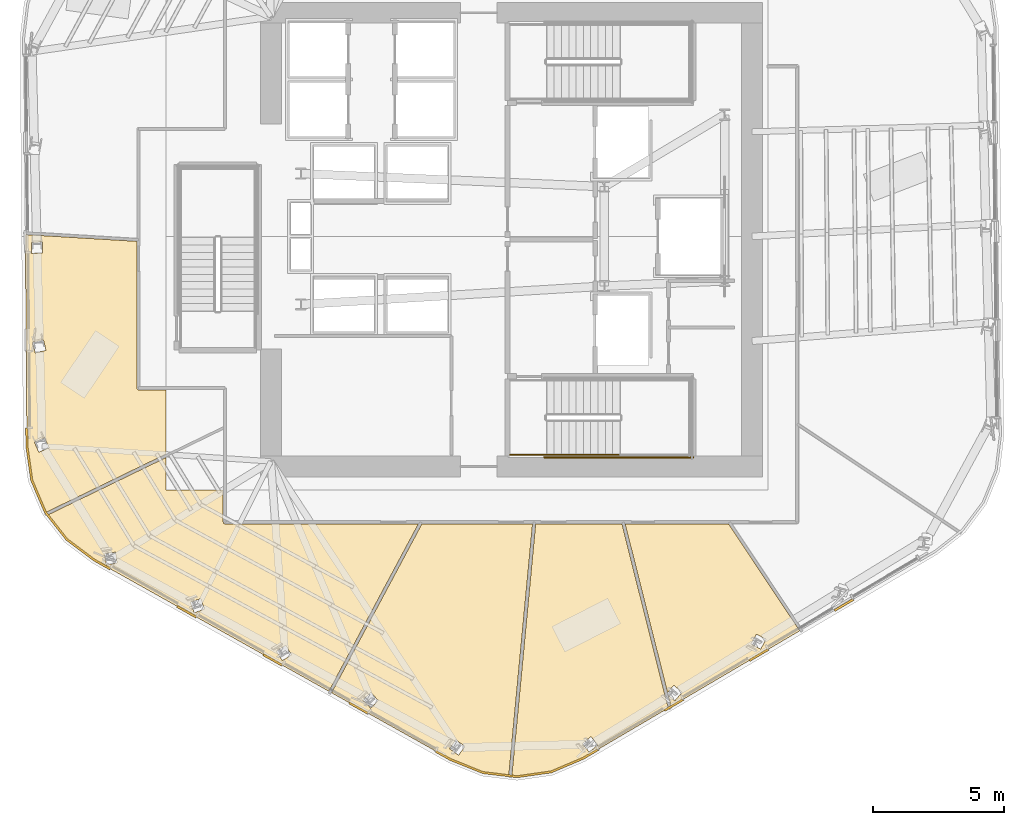
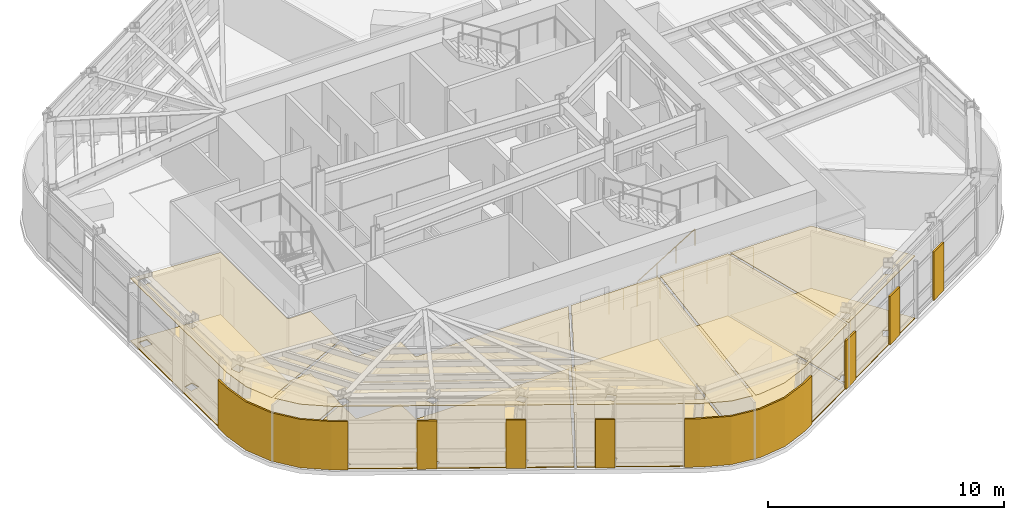
# One storey, part 10 of 16: 18 coverings, 3 railings.
"""IFC4 building model written with IfcOpenShell, lengths in metres."""

from ifc_helpers import new_model, si_unit, direction, frame, origin, origin_2d, place, context, subcontext, project, spatial, polyline, circle, outline, extrude, material, layer, layer_set, type_object, element, save


model = new_model("IFC4")

# Units and contexts
model_context = context("Model", 3, precision=1e-05, world=origin(), true_north=direction((0.0, 1.0)))
body_context = subcontext(model_context, "Body", "Model", "MODEL_VIEW")
ifc_project = project(units=[si_unit("LENGTHUNIT", "METRE"), si_unit("AREAUNIT", "SQUARE_METRE"), si_unit("VOLUMEUNIT", "CUBIC_METRE"), si_unit("PLANEANGLEUNIT", "RADIAN"), si_unit("MASSUNIT", "GRAM", prefix="KILO")], contexts=[model_context])

# Site, building, storey
site_placement = place(None, origin())
site = spatial("IfcSite", under=ifc_project, at=site_placement, CompositionType="ELEMENT")
building_placement = place(site_placement, origin())
building = spatial("IfcBuilding", under=site, at=building_placement, Name="Valkerne Bourse Tower", CompositionType="ELEMENT")
storey_placement = place(building_placement, frame((0.0, 0.0, 155.199951171875)))
storey = spatial("IfcBuildingStorey", under=building, at=storey_placement, Name="L39", CompositionType="ELEMENT", Elevation=155.199951171875)

# Coverings
ifc_material_1 = material(Name="Mineral Fiber Acoustic Ceiling Tile", Category="acoustic")
ifc_layer_1 = layer(ifc_material_1, 0.02490234375)
ifc_layer_set_1 = layer_set([ifc_layer_1], Name="Mineral Fiber Acoustic Ceiling Tile")
covering_type_1 = type_object("IfcCoveringType", Name="COV-CEIL-ACT", PredefinedType="CEILING", material=ifc_layer_set_1)
covering_1_placement = place(storey_placement, frame((0.0, 0.0, 3.22998046875)))
element("IfcCovering", 1, at=covering_1_placement, inside=storey, type_object=covering_type_1, Name="L39 Suspended Ceiling 04", PredefinedType="CEILING", context=body_context, shape_type="SweptSolid", body=[
    extrude(outline(polyline([(55.099365234375, 16.010986328125), (57.816650390625, 11.921142578125), (52.8984375, 9.029541015625), (52.78857421875, 9.466552734375), (53.04541015625, 9.249755859375), (53.0478515625, 9.250732421875), (53.3203125, 9.5751953125), (53.00390625, 9.84228515625), (53.00146484375, 9.84130859375), (52.76513671875, 9.56005859375), (51.144775390625, 16.010986328125), (55.099365234375, 16.010986328125)]), holes=[polyline([(56.327392578125, 11.224609375), (56.528076171875, 11.597900390625), (56.163818359375, 11.794921875), (56.16162109375, 11.79345703125), (55.960693359375, 11.42041015625), (56.324951171875, 11.223388671875), (56.327392578125, 11.224609375)])]), origin(), (0.0, 0.0, 1.0), 0.025146484375),
])
covering_2_placement = place(storey_placement, frame((0.0, 0.0, 3.22998046875)))
element("IfcCovering", 2, at=covering_2_placement, inside=storey, type_object=covering_type_1, Name="L39 Suspended Ceiling 06", PredefinedType="CEILING", context=body_context, shape_type="SweptSolid", body=[
    extrude(outline(polyline([(47.016357421875, 6.350830078125), (46.813720703125, 6.37548828125), (47.724609375, 16.010986328125), (51.023193359375, 16.010986328125), (52.79248046875, 8.96728515625), (49.54541015625, 7.05810546875), (48.322509765625, 6.536865234375), (47.016357421875, 6.350830078125)]), holes=[polyline([(50.100830078125, 7.55615234375), (49.84033203125, 7.8779296875), (49.83740234375, 7.87744140625), (49.509033203125, 7.610107421875), (49.76953125, 7.288330078125), (49.7724609375, 7.288818359375), (50.100830078125, 7.55615234375)])]), origin(), (0.0, 0.0, 1.0), 0.025146484375),
])
covering_3_placement = place(storey_placement, frame((0.0, 0.0, 3.22998046875)))
element("IfcCovering", 3, at=covering_3_placement, inside=storey, type_object=covering_type_1, Name="L39 Suspended Ceiling 07", PredefinedType="CEILING", context=body_context, shape_type="SweptSolid", body=[
    extrude(outline(polyline([(28.2802734375, 18.993896484375), (28.216552734375, 27.068115234375), (32.48095703125, 26.811279296875), (32.48095703125, 21.19970703125), (32.4873046875, 21.1708984375), (32.513916015625, 21.14111328125), (32.54931640625, 21.131103515625), (33.60009765625, 21.131103515625), (33.60009765625, 18.68115234375), (28.9990234375, 16.44677734375), (28.985107421875, 16.46435546875), (28.467529296875, 17.67822265625), (28.2802734375, 18.993896484375)]), holes=[polyline([(29.121337890625, 18.92431640625), (29.1201171875, 18.9267578125), (28.95068359375, 19.303466796875), (28.5634765625, 19.129150390625), (28.564697265625, 19.126708984375), (28.734130859375, 18.75), (29.121337890625, 18.92431640625)]), polyline([(29.00634765625, 22.64599609375), (28.910888671875, 23.048095703125), (28.497802734375, 22.94970703125), (28.498291015625, 22.947021484375), (28.593994140625, 22.545166015625), (29.007080078125, 22.643310546875), (29.00634765625, 22.64599609375)]), polyline([(28.88037109375, 26.3671875), (28.868408203125, 26.780517578125), (28.444091796875, 26.768310546875), (28.444091796875, 26.765380859375), (28.4560546875, 26.3525390625), (28.88037109375, 26.36474609375), (28.88037109375, 26.3671875)])]), origin(), (0.0, 0.0, 1.0), 0.025146484375),
])
covering_4_placement = place(storey_placement, frame((0.0, 0.0, 3.22998046875)))
element("IfcCovering", 4, at=covering_4_placement, inside=storey, type_object=covering_type_1, Name="L39 Suspended Ceiling 08", PredefinedType="CEILING", context=body_context, shape_type="SweptSolid", body=[
    extrude(outline(polyline([(39.92236328125, 9.5537109375), (43.376708984375, 16.010986328125), (47.60595703125, 16.010986328125), (46.696533203125, 6.389404296875), (45.706298828125, 6.509521484375), (44.472900390625, 7.005126953125), (39.92236328125, 9.5537109375)]), holes=[polyline([(45.020263671875, 7.505615234375), (44.677001953125, 7.753662109375), (44.674072265625, 7.75390625), (44.4326171875, 7.417724609375), (44.775634765625, 7.169677734375), (44.778564453125, 7.169189453125), (45.020263671875, 7.505615234375)]), polyline([(41.422607421875, 9.564697265625), (41.420166015625, 9.5654296875), (41.11962890625, 9.28076171875), (41.41015625, 8.972412109375), (41.412841796875, 8.9716796875), (41.71337890625, 9.256591796875), (41.422607421875, 9.564697265625)])]), origin(), (0.0, 0.0, 1.0), 0.025146484375),
])
covering_5_placement = place(storey_placement, frame((0.0, 0.0, 3.22998046875)))
element("IfcCovering", 5, at=covering_5_placement, inside=storey, type_object=covering_type_1, Name="L39 Suspended Ceiling 09", PredefinedType="CEILING", context=body_context, shape_type="SweptSolid", body=[
    extrude(outline(polyline([(29.073486328125, 16.351806640625), (33.60009765625, 18.5498046875), (33.60009765625, 17.300048828125), (35.781005859375, 17.300048828125), (35.781005859375, 16.079345703125), (35.791015625, 16.0439453125), (35.81982421875, 16.017822265625), (35.849609375, 16.010986328125), (43.242919921875, 16.010986328125), (39.8193359375, 9.611572265625), (30.8623046875, 14.6279296875), (29.79931640625, 15.426025390625), (29.073486328125, 16.351806640625)]), holes=[polyline([(38.173095703125, 11.364013671875), (38.170654296875, 11.365478515625), (37.818359375, 11.147705078125), (38.040283203125, 10.78662109375), (38.04248046875, 10.785400390625), (38.394775390625, 11.003173828125), (38.173095703125, 11.364013671875)]), polyline([(34.92041015625, 13.151611328125), (34.91845703125, 13.1533203125), (34.529296875, 13.01171875), (34.673095703125, 12.61328125), (34.675048828125, 12.611572265625), (35.064208984375, 12.7529296875), (34.92041015625, 13.151611328125)]), polyline([(31.725341796875, 14.51171875), (31.6591796875, 14.93017578125), (31.6572265625, 14.932373046875), (31.24853515625, 14.866455078125), (31.314697265625, 14.4482421875), (31.31640625, 14.44580078125), (31.725341796875, 14.51171875)])]), origin(), (0.0, 0.0, 1.0), 0.025146484375),
])
ifc_material_2 = material(Name="Bronze Anodised Aluminium AA 6063-T6", Category="aluminium")
ifc_layer_2 = layer(ifc_material_2, 0.06005859375)
ifc_layer_set_2 = layer_set([ifc_layer_2], Name="Bronze Anodised Aluminium AA 6063-T6")
covering_type_2 = type_object("IfcCoveringType", Name="COV-CRN-ALUM", PredefinedType="CLADDING", material=ifc_layer_set_2)
covering_6_placement = place(storey_placement, origin())
element("IfcCovering", 6, at=covering_6_placement, inside=storey, type_object=covering_type_2, Name="L39 Wind-Shaped Corner Aluminium Cladding 02", PredefinedType="CLADDING", context=body_context, shape_type="SweptSolid", body=[
    extrude(outline(polyline([(59.17041015625, 12.666015625), (59.129638671875, 12.734619140625), (59.853759765625, 13.160400390625), (59.89453125, 13.091552734375), (59.17041015625, 12.666015625)])), origin(), (0.0, 0.0, 1.0), 2.5),
])
covering_7_placement = place(storey_placement, origin())
element("IfcCovering", 7, at=covering_7_placement, inside=storey, type_object=covering_type_2, Name="L39 Wind-Shaped Corner Aluminium Cladding 03", PredefinedType="CLADDING", context=body_context, shape_type="SweptSolid", body=[
    extrude(outline(polyline([(55.919677734375, 10.754638671875), (55.87890625, 10.823486328125), (56.60302734375, 11.249267578125), (56.643798828125, 11.180419921875), (55.919677734375, 10.754638671875)])), origin(), (0.0, 0.0, 1.0), 2.5),
])
covering_8_placement = place(storey_placement, origin())
element("IfcCovering", 8, at=covering_8_placement, inside=storey, type_object=covering_type_2, Name="L39 Wind-Shaped Corner Aluminium Cladding 04", PredefinedType="CLADDING", context=body_context, shape_type="SweptSolid", body=[
    extrude(outline(polyline([(52.668701171875, 8.843505859375), (52.6279296875, 8.912353515625), (53.35205078125, 9.337890625), (53.392822265625, 9.269287109375), (52.668701171875, 8.843505859375)])), origin(), (0.0, 0.0, 1.0), 2.5),
])
covering_9_placement = place(storey_placement, origin())
element("IfcCovering", 9, at=covering_9_placement, inside=storey, type_object=covering_type_2, Name="L39 Wind-Shaped Corner Aluminium Cladding 05", PredefinedType="CLADDING", context=body_context, shape_type="SweptSolid", body=[
    extrude(outline(polyline([(49.565185546875, 7.018798828125), (48.334716796875, 6.493896484375), (47.0166015625, 6.306396484375), (45.6953125, 6.46630859375), (44.453857421875, 6.96533203125), (43.8701171875, 7.292236328125), (43.9091796875, 7.362060546875), (44.488525390625, 7.03759765625), (45.71533203125, 6.54443359375), (47.015869140625, 6.38720703125), (48.31298828125, 6.57177734375), (49.529052734375, 7.09033203125), (50.101318359375, 7.4267578125), (50.14208984375, 7.35791015625), (49.565185546875, 7.018798828125)])), origin(), (0.0, 0.0, 1.0), 2.5),
])
covering_10_placement = place(storey_placement, origin())
element("IfcCovering", 10, at=covering_10_placement, inside=storey, type_object=covering_type_2, Name="L39 Wind-Shaped Corner Aluminium Cladding 06", PredefinedType="CLADDING", context=body_context, shape_type="SweptSolid", body=[
    extrude(outline(polyline([(40.580078125, 9.135009765625), (40.619140625, 9.20458984375), (41.35205078125, 8.794189453125), (41.31298828125, 8.724609375), (40.580078125, 9.135009765625)])), origin(), (0.0, 0.0, 1.0), 2.5),
])
covering_11_placement = place(storey_placement, origin())
element("IfcCovering", 11, at=covering_11_placement, inside=storey, type_object=covering_type_2, Name="L39 Wind-Shaped Corner Aluminium Cladding 07", PredefinedType="CLADDING", context=body_context, shape_type="SweptSolid", body=[
    extrude(outline(polyline([(37.289794921875, 10.977783203125), (37.3291015625, 11.04736328125), (38.06201171875, 10.636962890625), (38.022705078125, 10.5673828125), (37.289794921875, 10.977783203125)])), origin(), (0.0, 0.0, 1.0), 2.5),
])
covering_12_placement = place(storey_placement, origin())
element("IfcCovering", 12, at=covering_12_placement, inside=storey, type_object=covering_type_2, Name="L39 Wind-Shaped Corner Aluminium Cladding 08", PredefinedType="CLADDING", context=body_context, shape_type="SweptSolid", body=[
    extrude(outline(polyline([(33.999755859375, 12.8203125), (34.0390625, 12.89013671875), (34.771728515625, 12.4794921875), (34.732666015625, 12.409912109375), (33.999755859375, 12.8203125)])), origin(), (0.0, 0.0, 1.0), 2.5),
])
covering_13_placement = place(storey_placement, origin())
element("IfcCovering", 13, at=covering_13_placement, inside=storey, type_object=covering_type_2, Name="L39 Wind-Shaped Corner Aluminium Cladding 09", PredefinedType="CLADDING", context=body_context, shape_type="SweptSolid", body=[
    extrude(outline(polyline([(30.838134765625, 14.591064453125), (29.768310546875, 15.394287109375), (28.947021484375, 16.441650390625), (28.4248046875, 17.666259765625), (28.236083984375, 18.990478515625), (28.230712890625, 19.68310546875), (28.310791015625, 19.683837890625), (28.316162109375, 18.99658203125), (28.50244140625, 17.68798828125), (29.0166015625, 16.48291015625), (29.82470703125, 15.451904296875), (30.8818359375, 14.658203125), (31.481689453125, 14.322265625), (31.4423828125, 14.252685546875), (30.838134765625, 14.591064453125)])), origin(), (0.0, 0.0, 1.0), 2.5),
])
ifc_material_3 = material(Name="Galvanised Painted Steel", Category="steel")
ifc_layer_3 = layer(ifc_material_3, 0.044921875)
ifc_layer_set_3 = layer_set([ifc_layer_3], Name="Galvanised Painted Steel")
covering_type_3 = type_object("IfcCoveringType", Name="COV-FLR-RAF", PredefinedType="FLOORING", material=ifc_layer_set_3)
covering_14_placement = place(storey_placement, origin())
element("IfcCovering", 14, at=covering_14_placement, inside=storey, type_object=covering_type_3, Name="L39 Floor Finish 06", PredefinedType="FLOORING", context=body_context, shape_type="SweptSolid", body=[
    extrude(outline(polyline([(47.016357421875, 6.350830078125), (46.813720703125, 6.37548828125), (47.724609375, 16.010986328125), (51.023193359375, 16.010986328125), (52.79248046875, 8.96728515625), (49.54541015625, 7.05810546875), (48.322509765625, 6.536865234375), (47.016357421875, 6.350830078125)]), holes=[polyline([(50.100830078125, 7.55615234375), (49.84033203125, 7.8779296875), (49.83740234375, 7.87744140625), (49.509033203125, 7.610107421875), (49.76953125, 7.288330078125), (49.7724609375, 7.288818359375), (50.100830078125, 7.55615234375)])]), origin(), (0.0, 0.0, 1.0), 0.045166015625),
])
covering_15_placement = place(storey_placement, origin())
element("IfcCovering", 15, at=covering_15_placement, inside=storey, type_object=covering_type_3, Name="L39 Floor Finish 07", PredefinedType="FLOORING", context=body_context, shape_type="SweptSolid", body=[
    extrude(outline(polyline([(28.2802734375, 18.993896484375), (28.216552734375, 27.068115234375), (32.48095703125, 26.811279296875), (32.48095703125, 21.19970703125), (32.4873046875, 21.1708984375), (32.513916015625, 21.14111328125), (32.54931640625, 21.131103515625), (33.60009765625, 21.131103515625), (33.60009765625, 18.68115234375), (28.9990234375, 16.44677734375), (28.985107421875, 16.46435546875), (28.467529296875, 17.67822265625), (28.2802734375, 18.993896484375)]), holes=[polyline([(29.121337890625, 18.92431640625), (29.1201171875, 18.9267578125), (28.95068359375, 19.303466796875), (28.5634765625, 19.129150390625), (28.564697265625, 19.126708984375), (28.734130859375, 18.75), (29.121337890625, 18.92431640625)]), polyline([(29.00634765625, 22.64599609375), (28.910888671875, 23.048095703125), (28.497802734375, 22.94970703125), (28.498291015625, 22.947021484375), (28.593994140625, 22.545166015625), (29.007080078125, 22.643310546875), (29.00634765625, 22.64599609375)]), polyline([(28.88037109375, 26.3671875), (28.868408203125, 26.780517578125), (28.444091796875, 26.768310546875), (28.444091796875, 26.765380859375), (28.4560546875, 26.3525390625), (28.88037109375, 26.36474609375), (28.88037109375, 26.3671875)])]), origin(), (0.0, 0.0, 1.0), 0.045166015625),
])
ifc_material_4 = material(Name="Polished Granite Stone", Category="masonry")
ifc_layer_4 = layer(ifc_material_4, 0.030029296875)
ifc_layer_set_4 = layer_set([ifc_layer_4], Name="Polished Granite Stone")
covering_type_4 = type_object("IfcCoveringType", Name="COV-FLR-TERRAZZO", PredefinedType="FLOORING", material=ifc_layer_set_4)
covering_16_placement = place(storey_placement, origin())
element("IfcCovering", 16, at=covering_16_placement, inside=storey, type_object=covering_type_4, Name="L39 Floor Finish 04", PredefinedType="FLOORING", context=body_context, shape_type="SweptSolid", body=[
    extrude(outline(polyline([(55.099365234375, 16.010986328125), (57.816650390625, 11.921142578125), (52.8984375, 9.029541015625), (52.78857421875, 9.466552734375), (53.04541015625, 9.249755859375), (53.0478515625, 9.250732421875), (53.3203125, 9.5751953125), (53.00390625, 9.84228515625), (53.00146484375, 9.84130859375), (52.76513671875, 9.56005859375), (51.144775390625, 16.010986328125), (55.099365234375, 16.010986328125)]), holes=[polyline([(56.327392578125, 11.224609375), (56.528076171875, 11.597900390625), (56.163818359375, 11.794921875), (56.16162109375, 11.79345703125), (55.960693359375, 11.42041015625), (56.324951171875, 11.223388671875), (56.327392578125, 11.224609375)])]), origin(), (0.0, 0.0, 1.0), 0.030029296875),
])
covering_17_placement = place(storey_placement, origin())
element("IfcCovering", 17, at=covering_17_placement, inside=storey, type_object=covering_type_4, Name="L39 Floor Finish 08", PredefinedType="FLOORING", context=body_context, shape_type="SweptSolid", body=[
    extrude(outline(polyline([(39.92236328125, 9.5537109375), (43.376708984375, 16.010986328125), (47.60595703125, 16.010986328125), (46.696533203125, 6.389404296875), (45.706298828125, 6.509521484375), (44.472900390625, 7.005126953125), (39.92236328125, 9.5537109375)]), holes=[polyline([(45.020263671875, 7.505615234375), (44.677001953125, 7.753662109375), (44.674072265625, 7.75390625), (44.4326171875, 7.417724609375), (44.775634765625, 7.169677734375), (44.778564453125, 7.169189453125), (45.020263671875, 7.505615234375)]), polyline([(41.422607421875, 9.564697265625), (41.420166015625, 9.5654296875), (41.11962890625, 9.28076171875), (41.41015625, 8.972412109375), (41.412841796875, 8.9716796875), (41.71337890625, 9.256591796875), (41.422607421875, 9.564697265625)])]), origin(), (0.0, 0.0, 1.0), 0.030029296875),
])
covering_18_placement = place(storey_placement, origin())
element("IfcCovering", 18, at=covering_18_placement, inside=storey, type_object=covering_type_4, Name="L39 Floor Finish 09", PredefinedType="FLOORING", context=body_context, shape_type="SweptSolid", body=[
    extrude(outline(polyline([(29.073486328125, 16.351806640625), (33.60009765625, 18.5498046875), (33.60009765625, 17.300048828125), (35.781005859375, 17.300048828125), (35.781005859375, 16.079345703125), (35.791015625, 16.0439453125), (35.81982421875, 16.017822265625), (35.849609375, 16.010986328125), (43.242919921875, 16.010986328125), (39.8193359375, 9.611572265625), (30.8623046875, 14.6279296875), (29.79931640625, 15.426025390625), (29.073486328125, 16.351806640625)]), holes=[polyline([(38.173095703125, 11.364013671875), (38.170654296875, 11.365478515625), (37.818359375, 11.147705078125), (38.040283203125, 10.78662109375), (38.04248046875, 10.785400390625), (38.394775390625, 11.003173828125), (38.173095703125, 11.364013671875)]), polyline([(34.92041015625, 13.151611328125), (34.91845703125, 13.1533203125), (34.529296875, 13.01171875), (34.673095703125, 12.61328125), (34.675048828125, 12.611572265625), (35.064208984375, 12.7529296875), (34.92041015625, 13.151611328125)]), polyline([(31.725341796875, 14.51171875), (31.6591796875, 14.93017578125), (31.6572265625, 14.932373046875), (31.24853515625, 14.866455078125), (31.314697265625, 14.4482421875), (31.31640625, 14.44580078125), (31.725341796875, 14.51171875)])]), origin(), (0.0, 0.0, 1.0), 0.030029296875),
])

# Railings
railing_type_1 = type_object("IfcRailingType", Name="RLG-ST-GUARD-1120", PredefinedType="GUARDRAIL", material=ifc_material_3)
railing_1_placement = place(storey_placement, frame((46.75, 18.64990234375, 0.0)))
element("IfcRailing", 19, at=railing_1_placement, inside=storey, type_object=railing_type_1, Name="L39 ST-1 stair guard 8", PredefinedType="GUARDRAIL", context=body_context, shape_type="SweptSolid", body=[
    extrude(circle(Radius=0.02392578125, at=origin_2d()), frame((0.0, 0.0, 1.09619140625), z_axis=(1.0, 0.0, 0.0), x_axis=(0.0, 1.0, 0.0)), (0.0, 0.0, 1.0), 1.39990234375),
    extrude(circle(Radius=0.02099609375, at=origin_2d()), origin(), (0.0, 0.0, 1.0), 1.072021484375),
    extrude(circle(Radius=0.02099609375, at=origin_2d()), frame((0.699951171875, 0.0, 0.0)), (0.0, 0.0, 1.0), 1.072021484375),
    extrude(circle(Radius=0.02099609375, at=origin_2d()), frame((1.39990234375, 0.0, 0.0)), (0.0, 0.0, 1.0), 1.072021484375),
])
railing_2_placement = place(storey_placement, frame((48.050048828125, 18.550048828125, 0.0)))
element("IfcRailing", 20, at=railing_2_placement, inside=storey, type_object=railing_type_1, Name="L39 ST-1 stair guard 10", PredefinedType="GUARDRAIL", context=body_context, shape_type="SweptSolid", body=[
    extrude(circle(Radius=0.02392578125, at=origin_2d()), frame((0.0, 0.0, 1.09619140625), z_axis=(1.0, 0.0, 0.0), x_axis=(0.0, 1.0, 0.0)), (0.0, 0.0, 1.0), 5.699951171875),
    extrude(circle(Radius=0.02099609375, at=origin_2d()), origin(), (0.0, 0.0, 1.0), 1.072021484375),
    extrude(circle(Radius=0.02099609375, at=origin_2d()), frame((1.139892578125, 0.0, 0.0)), (0.0, 0.0, 1.0), 1.072021484375),
    extrude(circle(Radius=0.02099609375, at=origin_2d()), frame((2.280029296875, 0.0, 0.0)), (0.0, 0.0, 1.0), 1.072021484375),
    extrude(circle(Radius=0.02099609375, at=origin_2d()), frame((3.419921875, 0.0, 0.0)), (0.0, 0.0, 1.0), 1.072021484375),
    extrude(circle(Radius=0.02099609375, at=origin_2d()), frame((4.56005859375, 0.0, 0.0)), (0.0, 0.0, 1.0), 1.072021484375),
    extrude(circle(Radius=0.02099609375, at=origin_2d()), frame((5.699951171875, 0.0, 0.0)), (0.0, 0.0, 1.0), 1.072021484375),
])
ifc_material_5 = material(Name="Stainless Steel AISI 316", Category="steel")
railing_type_2 = type_object("IfcRailingType", Name="RLG-ST-HANDRAIL-900", PredefinedType="HANDRAIL", material=ifc_material_5)
railing_3_placement = place(storey_placement, frame((48.14990234375, 18.64990234375, 0.345458984375)))
element("IfcRailing", 21, at=railing_3_placement, inside=storey, type_object=railing_type_2, Name="L39 ST-1 stair handrail 1", PredefinedType="HANDRAIL", context=body_context, shape_type="SweptSolid", body=[
    extrude(circle(Radius=0.02392578125, at=origin_2d()), frame((0.0, 0.0, 0.8759765625), z_axis=(0.851089632645, 0.0, 0.525020415988), x_axis=(0.0, 1.0, 0.0)), (0.0, 0.0, 1.0), 3.2900390625),
    extrude(circle(Radius=0.02099609375, at=origin_2d()), origin(), (0.0, 0.0, 1.0), 0.851806640625),
    extrude(circle(Radius=0.02099609375, at=origin_2d()), frame((0.933349609375, 0.0, 0.57568359375)), (0.0, 0.0, 1.0), 0.851806640625),
    extrude(circle(Radius=0.02099609375, at=origin_2d()), frame((1.86669921875, 0.0, 1.151611328125)), (0.0, 0.0, 1.0), 0.851806640625),
    extrude(circle(Radius=0.02099609375, at=origin_2d()), frame((2.800048828125, 0.0, 1.727294921875)), (0.0, 0.0, 1.0), 0.851806640625),
])

save(model, "model.ifc")
